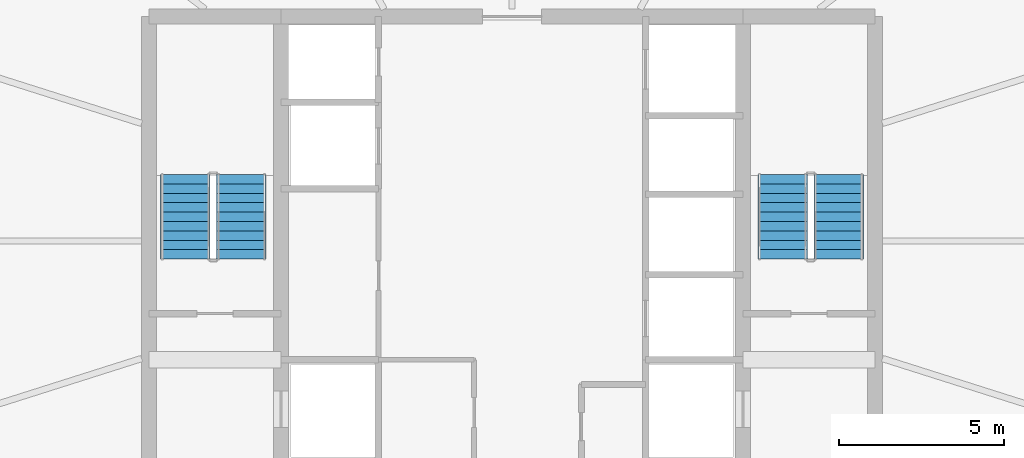
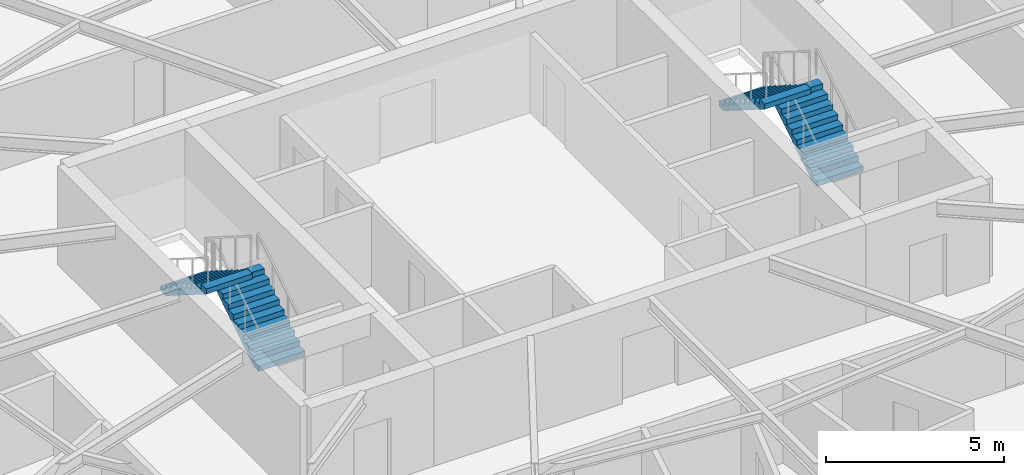
# One storey, part 27 of 30: 4 stair flights, 2 elements without a shape of their own.
"""IFC4 building model written with IfcOpenShell, lengths in metres."""

from ifc_helpers import new_model, si_unit, direction, frame, origin, place, context, subcontext, project, spatial, polyline, outline, extrude, material, type_object, element, aggregate, save


model = new_model("IFC4")

# Units and contexts
model_context = context("Model", 3, precision=1e-05, world=origin(), true_north=direction((0.0, 1.0)))
body_context = subcontext(model_context, "Body", "Model", "MODEL_VIEW")
ifc_project = project(units=[si_unit("LENGTHUNIT", "METRE"), si_unit("AREAUNIT", "SQUARE_METRE"), si_unit("VOLUMEUNIT", "CUBIC_METRE"), si_unit("PLANEANGLEUNIT", "RADIAN"), si_unit("MASSUNIT", "GRAM", prefix="KILO")], contexts=[model_context])

# Site, building, storey
site_placement = place(None, origin())
site = spatial("IfcSite", under=ifc_project, at=site_placement, CompositionType="ELEMENT")
building_placement = place(site_placement, origin())
building = spatial("IfcBuilding", under=site, at=building_placement, Name="Sarneth Arch Tower", CompositionType="ELEMENT")
storey_placement = place(building_placement, frame((0.0, 0.0, 168.60009765625)))
storey = spatial("IfcBuildingStorey", under=building, at=storey_placement, Name="L42", CompositionType="ELEMENT", Elevation=168.60009765625)

# Stair, stair flights
ifc_material_1 = material(Name="Concrete C50/60", Category="concrete")
stair_type = type_object("IfcStairType", Name="STAIR-CORE-RC", PredefinedType="HALF_TURN_STAIR", material=ifc_material_1)
stair_1_placement = place(storey_placement, origin())
stair_1 = element("IfcStair", 1, at=stair_1_placement, inside=storey, type_object=stair_type, Name="L42 Core Exit Stair 1", PredefinedType="HALF_TURN_STAIR")
ifc_material_2 = material(Name="Concrete C50/60", Category="concrete")
stair_flight_type = type_object("IfcStairFlightType", Name="FLIGHT-RC-1500", PredefinedType="STRAIGHT", material=ifc_material_2)
stair_flight_1_placement = place(storey_placement, frame((39.800048828125, 41.449951171875, 0.0), z_axis=(0.0, 0.0, 1.0), x_axis=(0.0, 1.0, 0.0)))
stair_flight_1 = element("IfcStairFlight", 2, at=stair_flight_1_placement, type_object=stair_flight_type, Name="ST-1 flight 1", NumberOfRisers=10, NumberOfTreads=9, PredefinedType="STRAIGHT", RiserHeight=0.18, TreadLength=0.285, context=body_context, shape_type="SweptSolid", body=[
    extrude(outline(polyline([(0.0, 0.0), (0.0, 0.179931640625), (0.284912109375, 0.179931640625), (0.284912109375, 0.360107421875), (0.570068359375, 0.360107421875), (0.570068359375, 0.5400390625), (0.85498046875, 0.5400390625), (0.85498046875, 0.719970703125), (1.139892578125, 0.719970703125), (1.139892578125, 0.89990234375), (1.425048828125, 0.89990234375), (1.425048828125, 1.080078125), (1.7099609375, 1.080078125), (1.7099609375, 1.260009765625), (1.9951171875, 1.260009765625), (1.9951171875, 1.43994140625), (2.280029296875, 1.43994140625), (2.280029296875, 1.6201171875), (2.56494140625, 1.6201171875), (2.56494140625, 1.800048828125), (2.56494140625, 1.442626953125), (0.28076171875, 0.0), (0.0, 0.0)])), frame((0.0, 0.75, 0.0), z_axis=(0.0, -1.0, 0.0), x_axis=(1.0, 0.0, 0.0)), (0.0, 0.0, 1.0), 1.5),
])
stair_flight_2_placement = place(storey_placement, frame((38.10009765625, 44.014892578125, 1.7998046875), z_axis=(0.0, 0.0, 1.0), x_axis=(0.0, -1.0, 0.0)))
stair_flight_2 = element("IfcStairFlight", 3, at=stair_flight_2_placement, type_object=stair_flight_type, Name="ST-1 flight 2", NumberOfRisers=10, NumberOfTreads=9, PredefinedType="STRAIGHT", RiserHeight=0.18, TreadLength=0.285, context=body_context, shape_type="SweptSolid", body=[
    extrude(outline(polyline([(0.0, 0.0), (0.0, 0.179931640625), (0.284912109375, 0.179931640625), (0.284912109375, 0.360107421875), (0.570068359375, 0.360107421875), (0.570068359375, 0.5400390625), (0.85498046875, 0.5400390625), (0.85498046875, 0.719970703125), (1.139892578125, 0.719970703125), (1.139892578125, 0.89990234375), (1.425048828125, 0.89990234375), (1.425048828125, 1.080078125), (1.7099609375, 1.080078125), (1.7099609375, 1.260009765625), (1.9951171875, 1.260009765625), (1.9951171875, 1.43994140625), (2.280029296875, 1.43994140625), (2.280029296875, 1.6201171875), (2.56494140625, 1.6201171875), (2.56494140625, 1.800048828125), (2.56494140625, 1.442626953125), (0.28076171875, 0.0), (0.0, 0.0)])), frame((0.0, 0.75, 0.0), z_axis=(0.0, -1.0, 0.0), x_axis=(1.0, 0.0, 0.0)), (0.0, 0.0, 1.0), 1.5),
])
aggregate(stair_1, [stair_flight_1, stair_flight_2])

stair_2_placement = place(storey_placement, origin())
stair_2 = element("IfcStair", 4, at=stair_2_placement, inside=storey, type_object=stair_type, Name="L42 Core Exit Stair 2", PredefinedType="HALF_TURN_STAIR")
stair_flight_3_placement = place(storey_placement, frame((57.89990234375, 41.449951171875, 0.0), z_axis=(0.0, 0.0, 1.0), x_axis=(0.0, 1.0, 0.0)))
stair_flight_3 = element("IfcStairFlight", 5, at=stair_flight_3_placement, type_object=stair_flight_type, Name="ST-2 flight 1", NumberOfRisers=10, NumberOfTreads=9, PredefinedType="STRAIGHT", RiserHeight=0.18, TreadLength=0.285, context=body_context, shape_type="SweptSolid", body=[
    extrude(outline(polyline([(0.0, 0.0), (0.0, 0.179931640625), (0.284912109375, 0.179931640625), (0.284912109375, 0.360107421875), (0.570068359375, 0.360107421875), (0.570068359375, 0.5400390625), (0.85498046875, 0.5400390625), (0.85498046875, 0.719970703125), (1.139892578125, 0.719970703125), (1.139892578125, 0.89990234375), (1.425048828125, 0.89990234375), (1.425048828125, 1.080078125), (1.7099609375, 1.080078125), (1.7099609375, 1.260009765625), (1.9951171875, 1.260009765625), (1.9951171875, 1.43994140625), (2.280029296875, 1.43994140625), (2.280029296875, 1.6201171875), (2.56494140625, 1.6201171875), (2.56494140625, 1.800048828125), (2.56494140625, 1.442626953125), (0.28076171875, 0.0), (0.0, 0.0)])), frame((0.0, 0.75, 0.0), z_axis=(0.0, -1.0, 0.0), x_axis=(1.0, 0.0, 0.0)), (0.0, 0.0, 1.0), 1.5),
])
stair_flight_4_placement = place(storey_placement, frame((56.199951171875, 44.014892578125, 1.7998046875), z_axis=(0.0, 0.0, 1.0), x_axis=(0.0, -1.0, 0.0)))
stair_flight_4 = element("IfcStairFlight", 6, at=stair_flight_4_placement, type_object=stair_flight_type, Name="ST-2 flight 2", NumberOfRisers=10, NumberOfTreads=9, PredefinedType="STRAIGHT", RiserHeight=0.18, TreadLength=0.285, context=body_context, shape_type="SweptSolid", body=[
    extrude(outline(polyline([(0.0, 0.0), (0.0, 0.179931640625), (0.284912109375, 0.179931640625), (0.284912109375, 0.360107421875), (0.570068359375, 0.360107421875), (0.570068359375, 0.5400390625), (0.85498046875, 0.5400390625), (0.85498046875, 0.719970703125), (1.139892578125, 0.719970703125), (1.139892578125, 0.89990234375), (1.425048828125, 0.89990234375), (1.425048828125, 1.080078125), (1.7099609375, 1.080078125), (1.7099609375, 1.260009765625), (1.9951171875, 1.260009765625), (1.9951171875, 1.43994140625), (2.280029296875, 1.43994140625), (2.280029296875, 1.6201171875), (2.56494140625, 1.6201171875), (2.56494140625, 1.800048828125), (2.56494140625, 1.442626953125), (0.28076171875, 0.0), (0.0, 0.0)])), frame((0.0, 0.75, 0.0), z_axis=(0.0, -1.0, 0.0), x_axis=(1.0, 0.0, 0.0)), (0.0, 0.0, 1.0), 1.5),
])
aggregate(stair_2, [stair_flight_3, stair_flight_4])

save(model, "model.ifc")
